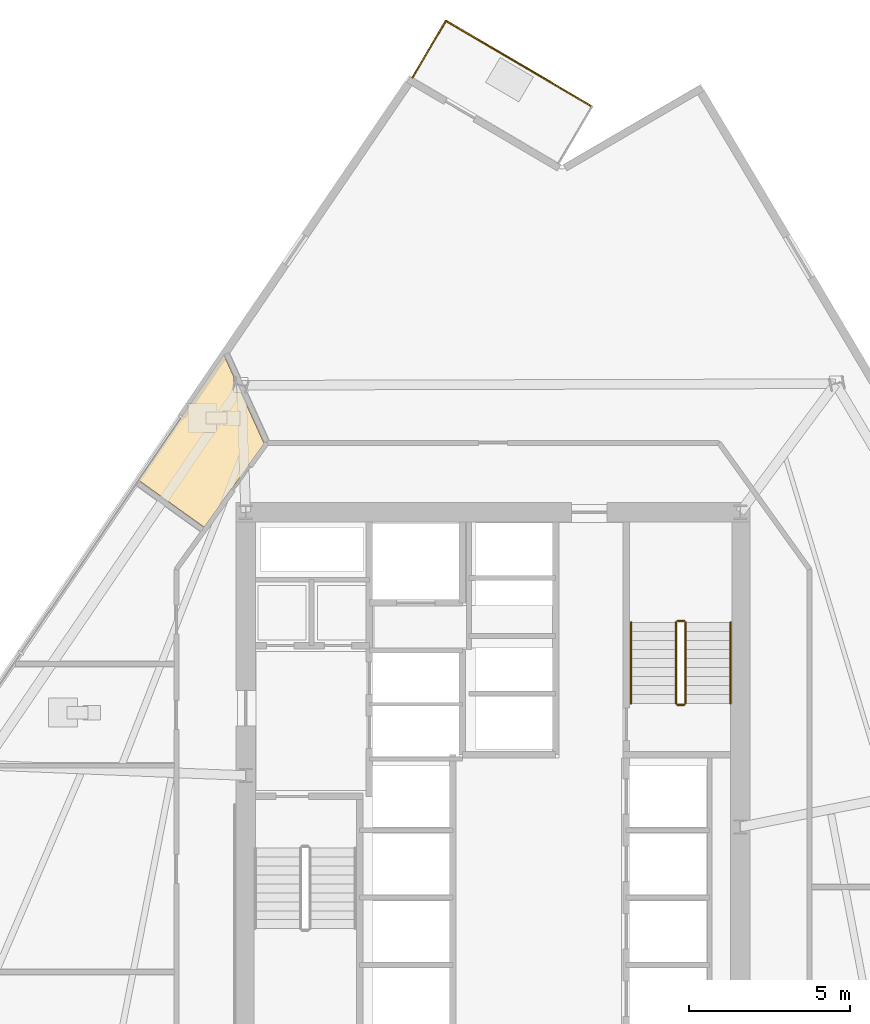
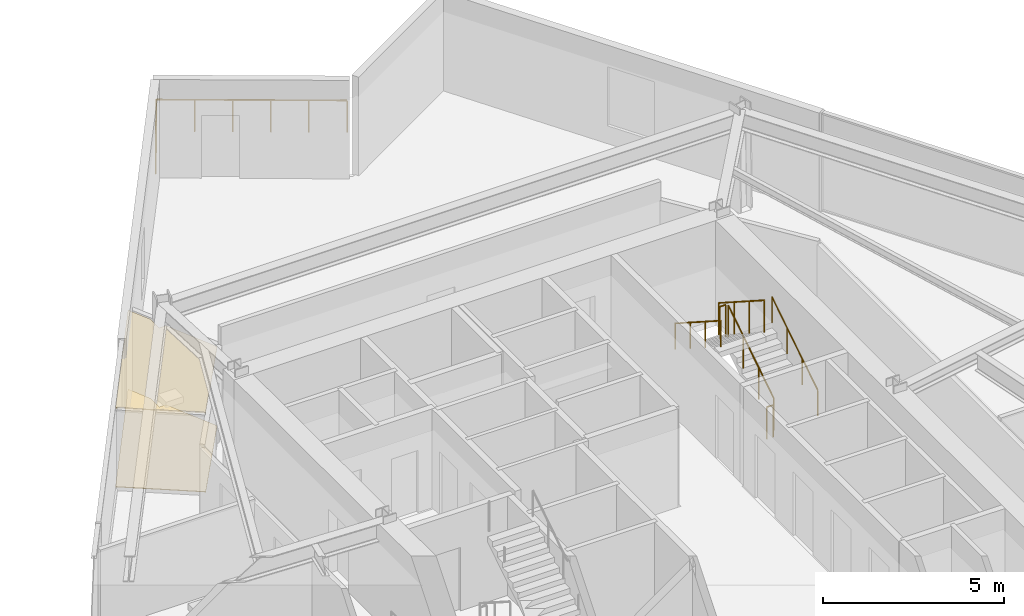
# One storey, part 16 of 18: 8 railings, 2 coverings.
"""IFC4 building model written with IfcOpenShell, lengths in metres."""

import ifcopenshell
import ifcopenshell.guid

model = None  # the IFC model being written
_history = None  # IfcOwnerHistory: only IFC2X3 demands one
_inside = {}  # id of a spatial element -> (the spatial element, [elements in it])
_under = {}  # id of a project, library or spatial element -> (it, [spatial elements below it])
_declared = {}  # id of a project -> (the project, [libraries it declares])
_typed = {}  # id of a type object -> (the type object, [elements of that type])
_made_of = {}  # id of a material, layer set ... -> (it, [elements and type objects made of it])


def new_model(schema):
    """Start an empty IFC model of exactly this schema.

    Asked for "IFC4X3", IfcOpenShell would pick the latest addendum, in which some entities
    have other attributes; the version numbers below select the first issue.
    IFC2X3 requires an IfcOwnerHistory on every rooted entity: one is made here for all.
    """
    global model, _history
    if schema == "IFC4X3":
        model = ifcopenshell.file(schema_version=(4, 3, 0, 0))
    else:
        model = ifcopenshell.file(schema=schema)
    _inside.clear()
    _under.clear()
    _declared.clear()
    _typed.clear()
    _made_of.clear()
    _history = None
    if model.schema == "IFC2X3":
        org = make("IfcOrganization", Name="unknown")
        user = make(
            "IfcPersonAndOrganization",
            ThePerson=make("IfcPerson", FamilyName="unknown"),
            TheOrganization=org,
        )
        app = make(
            "IfcApplication",
            ApplicationDeveloper=org,
            Version="unknown",
            ApplicationFullName="unknown",
            ApplicationIdentifier="unknown",
        )
        _history = make(
            "IfcOwnerHistory",
            OwningUser=user,
            OwningApplication=app,
            ChangeAction="ADDED",
            CreationDate=0,
        )
    return model


def make(cls, **values):
    """One entity of the class cls with the attributes given. An attribute that is None is left unset."""
    return model.create_entity(
        cls, **{name: value for name, value in values.items() if value is not None}
    )


def rooted(cls, **values):
    """An entity with a GlobalId (a new one), such as an element, a storey or a relation."""
    return make(cls, GlobalId=ifcopenshell.guid.new(), OwnerHistory=_history, **values)


def si_unit(unit_type, name, prefix=None):
    """IfcSIUnit, for example si_unit("LENGTHUNIT", "METRE", prefix="MILLI")."""
    return make("IfcSIUnit", UnitType=unit_type, Prefix=prefix, Name=name)


def assignment(units):
    """IfcUnitAssignment: the units of a project."""
    return None if units is None else make("IfcUnitAssignment", Units=units)


def point(xyz):
    """IfcCartesianPoint."""
    return None if xyz is None else make("IfcCartesianPoint", Coordinates=xyz)


def direction(xyz):
    """IfcDirection."""
    return None if xyz is None else make("IfcDirection", DirectionRatios=xyz)


def frame(location, z_axis=None, x_axis=None):
    """IfcAxis2Placement3D, a coordinate frame: its origin and axes. An axis left out is left unset."""
    return make(
        "IfcAxis2Placement3D",
        Location=point(location),
        Axis=direction(z_axis),
        RefDirection=direction(x_axis),
    )


def frame_2d(location, x_axis=None):
    """IfcAxis2Placement2D, a coordinate frame in the plane: its origin and x axis."""
    return make(
        "IfcAxis2Placement2D", Location=point(location), RefDirection=direction(x_axis)
    )


def origin():
    """The frame at (0, 0, 0) with its axes left unset."""
    return frame((0.0, 0.0, 0.0))


def origin_2d():
    """The frame at (0, 0) in the plane with its x axis left unset."""
    return frame_2d((0.0, 0.0))


def place(relative_to, where):
    """IfcLocalPlacement: puts the frame where relative to a parent placement (None: the world)."""
    return make(
        "IfcLocalPlacement", PlacementRelTo=relative_to, RelativePlacement=where
    )


def context(
    kind, dimensions, precision=None, world=None, true_north=None, identifier=None
):
    """IfcGeometricRepresentationContext, for example the 3D "Model" context."""
    return make(
        "IfcGeometricRepresentationContext",
        ContextIdentifier=identifier,
        ContextType=kind,
        CoordinateSpaceDimension=dimensions,
        Precision=precision,
        WorldCoordinateSystem=world,
        TrueNorth=true_north,
    )


def subcontext(parent, identifier, kind, view, scale=None):
    """IfcGeometricRepresentationSubContext, for example "Body" below "Model"."""
    return make(
        "IfcGeometricRepresentationSubContext",
        ContextIdentifier=identifier,
        ContextType=kind,
        ParentContext=parent,
        TargetScale=scale,
        TargetView=view,
    )


def project(units=None, contexts=None):
    """IfcProject with its units and contexts."""
    return rooted(
        "IfcProject",
        Name="project",
        RepresentationContexts=contexts,
        UnitsInContext=assignment(units),
    )


def spatial(cls, under=None, at=None, **own):
    """A site, building, storey or space (cls), placed at a placement, below another one or the project."""
    s = rooted(cls, ObjectPlacement=at, **own)
    if under is not None:
        _under.setdefault(under.id(), (under, []))[1].append(s)
    return s


def polyline(points):
    """IfcPolyline through the points."""
    return make("IfcPolyline", Points=[point(p) for p in points])


def profile(cls, at=None, kind="AREA", **sizes):
    """A parametric profile (cls). Its sizes go by their IFC names, for example OverallWidth=200.0."""
    return make(cls, ProfileType=kind, Position=at, **sizes)


def circle(**sizes):
    """IfcCircleProfileDef."""
    return profile("IfcCircleProfileDef", **sizes)


def outline(outer, holes=None, kind="AREA"):
    """IfcArbitraryClosedProfileDef: a profile drawn as a closed curve; with holes, ...WithVoids."""
    if holes is None:
        return make("IfcArbitraryClosedProfileDef", ProfileType=kind, OuterCurve=outer)
    return make(
        "IfcArbitraryProfileDefWithVoids",
        ProfileType=kind,
        OuterCurve=outer,
        InnerCurves=holes,
    )


def extrude(swept, where, along, depth):
    """IfcExtrudedAreaSolid: the profile swept, set in the frame where, extruded along a direction by depth."""
    return make(
        "IfcExtrudedAreaSolid",
        SweptArea=swept,
        Position=where,
        ExtrudedDirection=direction(along),
        Depth=depth,
    )


def shape(context_of_items, identifier, shape_type, items):
    """IfcShapeRepresentation: the items that make up one representation, for example the "Body"."""
    return make(
        "IfcShapeRepresentation",
        ContextOfItems=context_of_items,
        RepresentationIdentifier=identifier,
        RepresentationType=shape_type,
        Items=items,
    )


def material(Name=None, Category=None):
    """IfcMaterial."""
    return make("IfcMaterial", Name=Name, Category=Category)


def layer(
    of_material, thickness, ventilated=None, Name=None, Category=None, Priority=None
):
    """IfcMaterialLayer: one layer of a wall or slab, of a material (None: an air gap)."""
    return make(
        "IfcMaterialLayer",
        Material=of_material,
        LayerThickness=thickness,
        IsVentilated=ventilated,
        Name=Name,
        Category=Category,
        Priority=Priority,
    )


def layer_set(layers, Name=None):
    """IfcMaterialLayerSet."""
    return make("IfcMaterialLayerSet", MaterialLayers=layers, LayerSetName=Name)


def made_of(thing, what):
    """Note that an element or type object is made of a material, layer set ...; save() writes the relation."""
    if what is not None:
        _made_of.setdefault(what.id(), (what, []))[1].append(thing)
    return thing


def type_object(cls, material=None, **own):
    """A type object (cls), such as IfcWallType, which elements share."""
    return made_of(rooted(cls, **own), material)


def element(
    cls,
    number,
    at=None,
    inside=None,
    cuts=None,
    type_object=None,
    material=None,
    context=None,
    identifier="Body",
    shape_type=None,
    held_by="IfcProductDefinitionShape",
    body=None,
    shapes=None,
    **own,
):
    """One element of the class cls, such as IfcWall. Its Tag is "e" and its number.

    at: its placement. inside: the storey or other place that contains it. cuts: it is an
    opening in that element (IfcRelVoidsElement). A single representation is given by context,
    identifier, shape_type and body (its items); several are given by shapes. held_by: the class
    of the entity that holds the representations. save() writes the other relations.
    """
    e = rooted(cls, Tag="e%d" % number, ObjectPlacement=at, **own)
    if body is not None:
        shapes = [shape(context, identifier, shape_type, body)]
    if shapes is not None:
        e.Representation = make(held_by, Representations=shapes)
    if inside is not None:
        _inside.setdefault(inside.id(), (inside, []))[1].append(e)
    if cuts is not None:
        rooted(
            "IfcRelVoidsElement", RelatingBuildingElement=cuts, RelatedOpeningElement=e
        )
    if type_object is not None:
        _typed.setdefault(type_object.id(), (type_object, []))[1].append(e)
    return made_of(e, material)


def aggregate(whole, parts):
    """IfcRelAggregates: a whole, such as a stair, and the parts it consists of."""
    return rooted("IfcRelAggregates", RelatingObject=whole, RelatedObjects=parts)


def save(model, path):
    """Write the relations noted so far, then the file.

    IfcRelAggregates (storeys below a building ...), IfcRelContainedInSpatialStructure (elements
    in a storey), IfcRelDefinesByType, IfcRelAssociatesMaterial and IfcRelDeclares: one each for
    every whole, place, type object, material and project.
    """
    for whole, parts in _under.values():
        aggregate(whole, parts)
    for where, things in _inside.values():
        rooted(
            "IfcRelContainedInSpatialStructure",
            RelatedElements=things,
            RelatingStructure=where,
        )
    for kind, things in _typed.values():
        rooted("IfcRelDefinesByType", RelatedObjects=things, RelatingType=kind)
    for what, things in _made_of.values():
        rooted("IfcRelAssociatesMaterial", RelatedObjects=things, RelatingMaterial=what)
    for by, libraries in _declared.values():
        rooted("IfcRelDeclares", RelatingContext=by, RelatedDefinitions=libraries)
    model.write(path)


model = new_model("IFC4")

# Units and contexts
model_context = context("Model", 3, precision=1e-05, world=origin(), true_north=direction((0.0, 1.0)))
body_context = subcontext(model_context, "Body", "Model", "MODEL_VIEW")
ifc_project = project(units=[si_unit("LENGTHUNIT", "METRE"), si_unit("AREAUNIT", "SQUARE_METRE"), si_unit("VOLUMEUNIT", "CUBIC_METRE"), si_unit("PLANEANGLEUNIT", "RADIAN"), si_unit("MASSUNIT", "GRAM", prefix="KILO")], contexts=[model_context])

# Site, building, storey
site_placement = place(None, origin())
site = spatial("IfcSite", under=ifc_project, at=site_placement, CompositionType="ELEMENT")
building_placement = place(site_placement, origin())
building = spatial("IfcBuilding", under=site, at=building_placement, Name="Savorim Split Tower", CompositionType="ELEMENT")
storey_placement = place(building_placement, frame((0.0, 0.0, 40.800048828125)))
storey = spatial("IfcBuildingStorey", under=building, at=storey_placement, Name="L10", CompositionType="ELEMENT", Elevation=40.800048828125)

# Coverings
ifc_material_1 = material(Name="Mineral Fibre Acoustic Ceiling")
ifc_layer_1 = layer(ifc_material_1, 0.02490234375)
ifc_layer_set_1 = layer_set([ifc_layer_1], Name="COV-CEIL-25")
covering_type_1 = type_object("IfcCoveringType", Name="COV-CEIL-25", PredefinedType="CEILING", material=ifc_layer_set_1)
covering_1_placement = place(storey_placement, frame((0.0, 0.0, 2.669921875)))
element("IfcCovering", 1, at=covering_1_placement, inside=storey, type_object=covering_type_1, Name="L10 Shared Bathroom Acoustic Ceiling", PredefinedType="CEILING", context=body_context, shape_type="SweptSolid", body=[
    extrude(outline(polyline([(-8.06787109375, 14.3935546875), (-8.060302734375, 14.3935546875), (-8.3828125, 15.102294921875), (-8.38330078125, 15.10302734375), (-11.037841796875, 11.20068359375), (-8.99462890625, 9.736572265625), (-7.126953125, 12.343017578125), (-7.84814453125, 13.927490234375), (-8.06787109375, 13.927490234375), (-8.06787109375, 14.3935546875)])), origin(), (0.0, 0.0, 1.0), 0.025146484375),
])
ifc_material_2 = material(Name="Porcelain Stoneware Flooring", Category="masonry")
ifc_layer_2 = layer(ifc_material_2, 0.02001953125)
ifc_layer_set_2 = layer_set([ifc_layer_2], Name="COV-FLOR-20")
covering_type_2 = type_object("IfcCoveringType", Name="COV-FLOR-20", PredefinedType="FLOORING", material=ifc_layer_set_2)
covering_2_placement = place(storey_placement, origin())
element("IfcCovering", 2, at=covering_2_placement, inside=storey, type_object=covering_type_2, Name="L10 Shared Bathroom Porcelain Flooring", PredefinedType="FLOORING", context=body_context, shape_type="SweptSolid", body=[
    extrude(outline(polyline([(-8.06787109375, 14.3935546875), (-8.060302734375, 14.3935546875), (-8.3828125, 15.102294921875), (-8.38330078125, 15.10302734375), (-11.037841796875, 11.20068359375), (-8.99462890625, 9.736572265625), (-7.126953125, 12.343017578125), (-7.84814453125, 13.927490234375), (-8.06787109375, 13.927490234375), (-8.06787109375, 14.3935546875)])), origin(), (0.0, 0.0, 1.0), 0.02001953125),
])

# Railings
ifc_material_3 = material(Name="Galvanised Painted Steel Balustrade", Category="steel")
railing_type_1 = type_object("IfcRailingType", Name="RLG-BAL-1100", PredefinedType="BALUSTRADE", material=ifc_material_3)
railing_1_placement = place(storey_placement, frame((-2.5048828125, 23.744384765625, 0.0)))
element("IfcRailing", 3, at=railing_1_placement, inside=storey, type_object=railing_type_1, Name="L10 Tree Balcony Guardrail N-1", PredefinedType="BALUSTRADE", context=body_context, shape_type="SweptSolid", body=[
    extrude(circle(Radius=0.02392578125, at=origin_2d()), frame((0.0, 0.0, 1.076171875), z_axis=(0.50664533146, 0.862154573211, 0.0), x_axis=(-0.862154573211, 0.50664533146, 0.0)), (0.0, 0.0, 1.0), 2.0498046875),
    extrude(circle(Radius=0.02099609375, at=origin_2d()), origin(), (0.0, 0.0, 1.0), 1.052001953125),
    extrude(circle(Radius=0.02099609375, at=origin_2d()), frame((0.519287109375, 0.8837890625, 0.0)), (0.0, 0.0, 1.0), 1.052001953125),
    extrude(circle(Radius=0.02099609375, at=origin_2d()), frame((1.03857421875, 1.767333984375, 0.0)), (0.0, 0.0, 1.0), 1.052001953125),
])
railing_2_placement = place(storey_placement, frame((-1.46630859375, 25.51171875, 0.0)))
element("IfcRailing", 4, at=railing_2_placement, inside=storey, type_object=railing_type_1, Name="L10 Tree Balcony Guardrail N-2", PredefinedType="BALUSTRADE", context=body_context, shape_type="SweptSolid", body=[
    extrude(circle(Radius=0.02392578125, at=origin_2d()), frame((0.0, 0.0, 1.076171875), z_axis=(0.862125548923, -0.506694718637, 0.0), x_axis=(0.506694718637, 0.862125548923, 0.0)), (0.0, 0.0, 1.0), 5.279296875),
    extrude(circle(Radius=0.02099609375, at=origin_2d()), origin(), (0.0, 0.0, 1.0), 1.052001953125),
    extrude(circle(Radius=0.02099609375, at=origin_2d()), frame((0.910400390625, -0.534912109375, 0.0)), (0.0, 0.0, 1.0), 1.052001953125),
    extrude(circle(Radius=0.02099609375, at=origin_2d()), frame((1.820556640625, -1.070068359375, 0.0)), (0.0, 0.0, 1.0), 1.052001953125),
    extrude(circle(Radius=0.02099609375, at=origin_2d()), frame((2.73095703125, -1.60498046875, 0.0)), (0.0, 0.0, 1.0), 1.052001953125),
    extrude(circle(Radius=0.02099609375, at=origin_2d()), frame((3.64111328125, -2.14013671875, 0.0)), (0.0, 0.0, 1.0), 1.052001953125),
    extrude(circle(Radius=0.02099609375, at=origin_2d()), frame((4.551513671875, -2.675048828125, 0.0)), (0.0, 0.0, 1.0), 1.052001953125),
])
railing_type_2 = type_object("IfcRailingType", Name="RLG-HR-900", PredefinedType="HANDRAIL", material=ifc_material_3)
railing_3_placement = place(storey_placement, frame((7.39990234375, 4.25, 0.179931640625)))
element("IfcRailing", 5, at=railing_3_placement, inside=storey, type_object=railing_type_2, Name="L10 ST-2 stair handrail 1", PredefinedType="HANDRAIL", context=body_context, shape_type="SweptSolid", body=[
    extrude(circle(Radius=0.02392578125, at=origin_2d()), frame((0.0, 0.0, 0.8759765625), z_axis=(0.0, 0.841162588446, 0.540782303519), x_axis=(-1.0, 0.0, 0.0)), (0.0, 0.0, 1.0), 2.995849609375),
    extrude(circle(Radius=0.02099609375, at=origin_2d()), origin(), (0.0, 0.0, 1.0), 0.851806640625),
    extrude(circle(Radius=0.02099609375, at=origin_2d()), frame((0.0, 0.840087890625, 0.5400390625)), (0.0, 0.0, 1.0), 0.851806640625),
    extrude(circle(Radius=0.02099609375, at=origin_2d()), frame((0.0, 1.679931640625, 1.080078125)), (0.0, 0.0, 1.0), 0.851806640625),
    extrude(circle(Radius=0.02099609375, at=origin_2d()), frame((0.0, 2.52001953125, 1.6201171875)), (0.0, 0.0, 1.0), 0.851806640625),
])
railing_4_placement = place(storey_placement, frame((4.300048828125, 6.77001953125, 1.97998046875)))
element("IfcRailing", 6, at=railing_4_placement, inside=storey, type_object=railing_type_2, Name="L10 ST-2 stair handrail 2", PredefinedType="HANDRAIL", context=body_context, shape_type="SweptSolid", body=[
    extrude(circle(Radius=0.02392578125, at=origin_2d()), frame((0.0, 0.0, 0.8759765625), z_axis=(0.0, -0.841199657755, 0.540724639528), x_axis=(1.0, 0.0, 0.0)), (0.0, 0.0, 1.0), 2.995849609375),
    extrude(circle(Radius=0.02099609375, at=origin_2d()), origin(), (0.0, 0.0, 1.0), 0.851806640625),
    extrude(circle(Radius=0.02099609375, at=origin_2d()), frame((0.0, -0.840087890625, 0.5400390625)), (0.0, 0.0, 1.0), 0.851806640625),
    extrude(circle(Radius=0.02099609375, at=origin_2d()), frame((0.0, -1.679931640625, 1.079833984375)), (0.0, 0.0, 1.0), 0.851806640625),
    extrude(circle(Radius=0.02099609375, at=origin_2d()), frame((0.0, -2.52001953125, 1.619873046875)), (0.0, 0.0, 1.0), 0.851806640625),
])
railing_type_3 = type_object("IfcRailingType", Name="RLG-STG-1100", PredefinedType="BALUSTRADE", material=ifc_material_3)
railing_5_placement = place(storey_placement, frame((6.0, 4.25, 0.179931640625)))
element("IfcRailing", 7, at=railing_5_placement, inside=storey, type_object=railing_type_3, Name="L10 ST-2 stair guard 1", PredefinedType="BALUSTRADE", context=body_context, shape_type="SweptSolid", body=[
    extrude(circle(Radius=0.02392578125, at=origin_2d()), frame((0.0, 0.0, 1.076171875), z_axis=(0.0, 0.841162588446, 0.540782303519), x_axis=(-1.0, 0.0, 0.0)), (0.0, 0.0, 1.0), 2.995849609375),
    extrude(circle(Radius=0.02099609375, at=origin_2d()), origin(), (0.0, 0.0, 1.0), 1.052001953125),
    extrude(circle(Radius=0.02099609375, at=origin_2d()), frame((0.0, 0.840087890625, 0.5400390625)), (0.0, 0.0, 1.0), 1.052001953125),
    extrude(circle(Radius=0.02099609375, at=origin_2d()), frame((0.0, 1.679931640625, 1.080078125)), (0.0, 0.0, 1.0), 1.052001953125),
    extrude(circle(Radius=0.02099609375, at=origin_2d()), frame((0.0, 2.52001953125, 1.6201171875)), (0.0, 0.0, 1.0), 1.052001953125),
])
railing_6_placement = place(storey_placement, frame((5.949951171875, 6.820068359375, 1.800048828125)))
element("IfcRailing", 8, at=railing_6_placement, inside=storey, type_object=railing_type_3, Name="L10 ST-2 stair guard 2", PredefinedType="BALUSTRADE", context=body_context, shape_type="SweptSolid", body=[
    extrude(circle(Radius=0.02392578125, at=origin_2d()), frame((0.0, 0.0, 1.076171875), z_axis=(-1.0, 0.0, 0.0), x_axis=(0.0, -1.0, 0.0)), (0.0, 0.0, 1.0), 0.199951171875),
    extrude(circle(Radius=0.02099609375, at=origin_2d()), origin(), (0.0, 0.0, 1.0), 1.052001953125),
    extrude(circle(Radius=0.02099609375, at=origin_2d()), frame((-0.199951171875, 0.0, 0.0)), (0.0, 0.0, 1.0), 1.052001953125),
])
railing_7_placement = place(storey_placement, frame((5.699951171875, 6.77001953125, 1.97998046875)))
element("IfcRailing", 9, at=railing_7_placement, inside=storey, type_object=railing_type_3, Name="L10 ST-2 stair guard 3", PredefinedType="BALUSTRADE", context=body_context, shape_type="SweptSolid", body=[
    extrude(circle(Radius=0.02392578125, at=origin_2d()), frame((0.0, 0.0, 1.076171875), z_axis=(0.0, -0.841199657755, 0.540724639528), x_axis=(1.0, 0.0, 0.0)), (0.0, 0.0, 1.0), 2.995849609375),
    extrude(circle(Radius=0.02099609375, at=origin_2d()), origin(), (0.0, 0.0, 1.0), 1.052001953125),
    extrude(circle(Radius=0.02099609375, at=origin_2d()), frame((0.0, -0.840087890625, 0.5400390625)), (0.0, 0.0, 1.0), 1.052001953125),
    extrude(circle(Radius=0.02099609375, at=origin_2d()), frame((0.0, -1.679931640625, 1.079833984375)), (0.0, 0.0, 1.0), 1.052001953125),
    extrude(circle(Radius=0.02099609375, at=origin_2d()), frame((0.0, -2.52001953125, 1.619873046875)), (0.0, 0.0, 1.0), 1.052001953125),
])
railing_8_placement = place(storey_placement, frame((5.949951171875, 4.199951171875, 0.0)))
element("IfcRailing", 10, at=railing_8_placement, inside=storey, type_object=railing_type_3, Name="L10 ST-2 stair guard 4", PredefinedType="BALUSTRADE", context=body_context, shape_type="SweptSolid", body=[
    extrude(circle(Radius=0.02392578125, at=origin_2d()), frame((0.0, 0.0, 1.076171875), z_axis=(-1.0, 0.0, 0.0), x_axis=(0.0, -1.0, 0.0)), (0.0, 0.0, 1.0), 0.199951171875),
    extrude(circle(Radius=0.02099609375, at=origin_2d()), origin(), (0.0, 0.0, 1.0), 1.052001953125),
    extrude(circle(Radius=0.02099609375, at=origin_2d()), frame((-0.199951171875, 0.0, 0.0)), (0.0, 0.0, 1.0), 1.052001953125),
])

save(model, "model.ifc")
